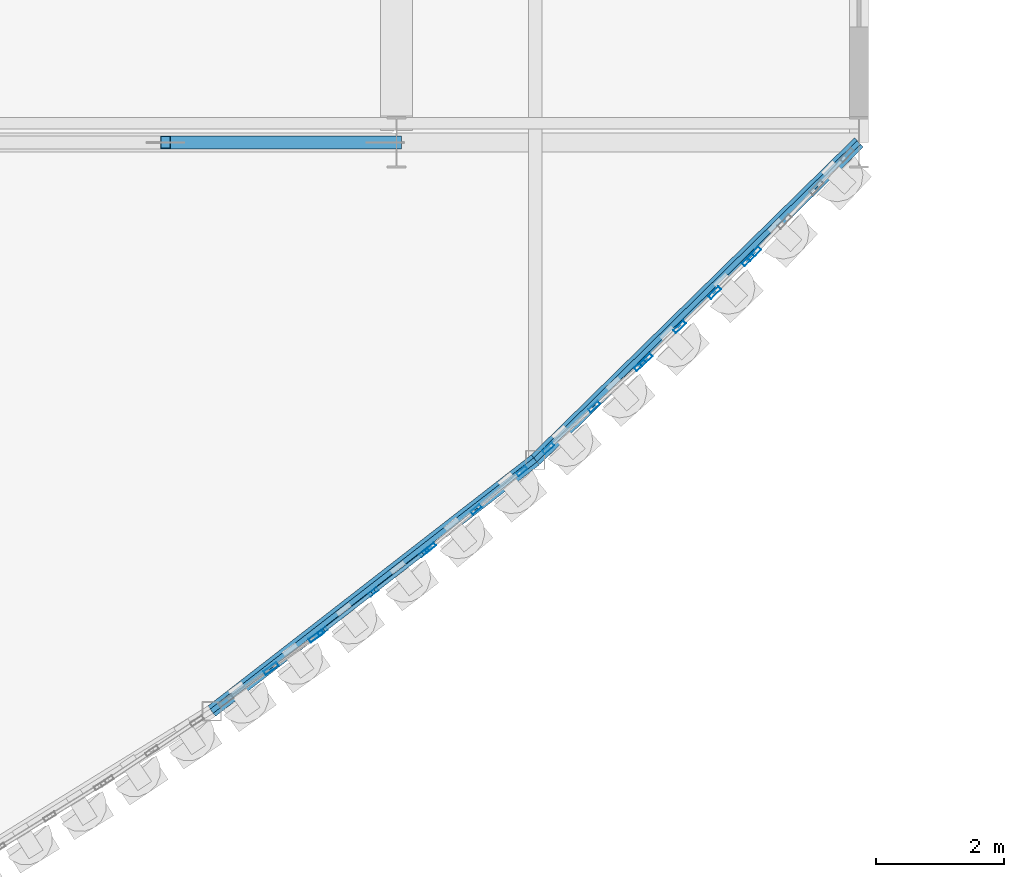
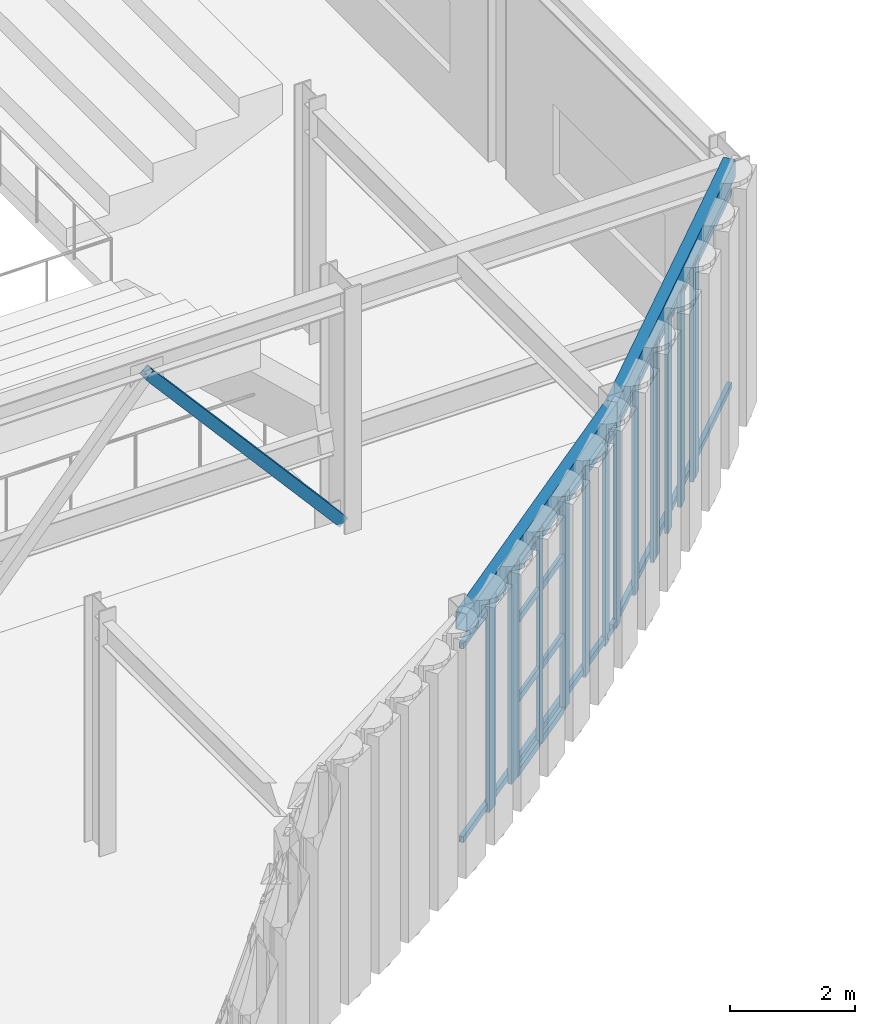
# One storey, part 54 of 121: 29 members, 2 beams, 6 elements without a shape of their own.
"""IFC4 building model written with IfcOpenShell, lengths in metres."""

from ifc_helpers import new_model, si_unit, direction, frame, origin, origin_2d, place, context, subcontext, project, spatial, hollow_rectangle, extrude, material, layer, layer_set, material_profile, profile_set, type_object, element, aggregate, save


model = new_model("IFC4")

# Units and contexts
model_context = context("Model", 3, precision=1e-05, world=origin(), true_north=direction((0.0, 1.0)))
body_context = subcontext(model_context, "Body", "Model", "MODEL_VIEW")
ifc_project = project(units=[si_unit("LENGTHUNIT", "METRE"), si_unit("AREAUNIT", "SQUARE_METRE"), si_unit("VOLUMEUNIT", "CUBIC_METRE"), si_unit("PLANEANGLEUNIT", "RADIAN"), si_unit("MASSUNIT", "GRAM", prefix="KILO")], contexts=[model_context])

# Site, building, storey
site_placement = place(None, origin())
site = spatial("IfcSite", under=ifc_project, at=site_placement, CompositionType="ELEMENT")
building_placement = place(site_placement, origin())
building = spatial("IfcBuilding", under=site, at=building_placement, Name="Solvadek Multi-Sports Hall", CompositionType="ELEMENT")
storey_placement = place(building_placement, frame((0.0, 0.0, 4.800048828125)))
storey = spatial("IfcBuildingStorey", under=building, at=storey_placement, Name="L01", CompositionType="ELEMENT", Elevation=4.800048828125)

# Curtain wall, members
ifc_material_1 = material(Name="Anodised aluminium", Category="aluminium")
ifc_layer_1 = layer(ifc_material_1, 0.159912109375, Name="Anodised aluminium")
ifc_layer_set_1 = layer_set([ifc_layer_1], Name="Anodised aluminium")
curtain_wall_type_1 = type_object("IfcCurtainWallType", Name="ENV-CW-207X420", PredefinedType="USERDEFINED", material=ifc_layer_set_1)
curtain_wall_1_placement = place(storey_placement, origin())
curtain_wall_1 = element("IfcCurtainWall", 1, at=curtain_wall_1_placement, inside=storey, type_object=curtain_wall_type_1, Name="L01 Crescent Curved Curtain Wall #105", ObjectType="CURTAIN WALL", PredefinedType="USERDEFINED")
ifc_material_profile_1 = material_profile(ifc_material_1, hollow_rectangle(XDim=0.06005859375, YDim=0.159912109375, WallThickness=0.00390625, at=origin_2d()), Name="ALU-M 160x60x4")
ifc_profile_set_1 = profile_set([ifc_material_profile_1], Name="Anodised aluminium")
member_type_1 = type_object("IfcMemberType", Name="ENV-CWM-01", PredefinedType="MULLION", material=ifc_profile_set_1)
member_1_placement = place(storey_placement, frame((128.447509765625, -1.613037109375, 0.0), z_axis=(0.0, 0.0, 1.0), x_axis=(-0.612461245063, 0.79050061562, 0.0)))
member_1 = element("IfcMember", 2, at=member_1_placement, type_object=member_type_1, Name="CW-34 mullion 1", PredefinedType="MULLION", context=body_context, shape_type="SweptSolid", body=[
    extrude(hollow_rectangle(XDim=0.06005859375, YDim=0.159912109375, WallThickness=0.00390625, at=origin_2d()), origin(), (0.0, 0.0, 1.0), 4.199951171875),
])
member_2_placement = place(storey_placement, frame((129.239990234375, -0.9990234375, 0.0), z_axis=(0.0, 0.0, 1.0), x_axis=(-0.612461245063, 0.79050061562, 0.0)))
member_2 = element("IfcMember", 3, at=member_2_placement, type_object=member_type_1, Name="CW-34 mullion 2", PredefinedType="MULLION", context=body_context, shape_type="SweptSolid", body=[
    extrude(hollow_rectangle(XDim=0.06005859375, YDim=0.159912109375, WallThickness=0.00390625, at=origin_2d()), origin(), (0.0, 0.0, 1.0), 4.199951171875),
])
member_3_placement = place(storey_placement, frame((130.032470703125, -0.384765625, 0.0), z_axis=(0.0, 0.0, 1.0), x_axis=(-0.612461245063, 0.79050061562, 0.0)))
member_3 = element("IfcMember", 4, at=member_3_placement, type_object=member_type_1, Name="CW-34 mullion 3", PredefinedType="MULLION", context=body_context, shape_type="SweptSolid", body=[
    extrude(hollow_rectangle(XDim=0.06005859375, YDim=0.159912109375, WallThickness=0.00390625, at=origin_2d()), origin(), (0.0, 0.0, 1.0), 4.199951171875),
])

ifc_layer_2 = layer(ifc_material_1, 0.159912109375, Name="Anodised aluminium")
ifc_layer_set_2 = layer_set([ifc_layer_2], Name="Anodised aluminium")
curtain_wall_type_2 = type_object("IfcCurtainWallType", Name="ENV-CW-192X420", PredefinedType="USERDEFINED", material=ifc_layer_set_2)
curtain_wall_2_placement = place(storey_placement, origin())
curtain_wall_2 = element("IfcCurtainWall", 5, at=curtain_wall_2_placement, inside=storey, type_object=curtain_wall_type_2, Name="L01 Crescent Curved Curtain Wall #107", ObjectType="CURTAIN WALL", PredefinedType="USERDEFINED")
ifc_material_profile_2 = material_profile(ifc_material_1, hollow_rectangle(XDim=0.06005859375, YDim=0.179931640625, WallThickness=0.00390625, at=origin_2d()), Name="ALU-M 180x60x4")
ifc_profile_set_2 = profile_set([ifc_material_profile_2], Name="Anodised aluminium")
member_type_2 = type_object("IfcMemberType", Name="ENV-CWM-02", PredefinedType="MULLION", material=ifc_profile_set_2)
member_4_placement = place(storey_placement, frame((130.1259765625, -0.3095703125, 0.0), z_axis=(0.0, 0.0, 1.0), x_axis=(-0.641346751245, 0.767251161398, 0.0)))
member_4 = element("IfcMember", 6, at=member_4_placement, type_object=member_type_2, Name="CW-31 mullion 1", PredefinedType="MULLION", context=body_context, shape_type="SweptSolid", body=[
    extrude(hollow_rectangle(XDim=0.06005859375, YDim=0.179931640625, WallThickness=0.00390625, at=origin_2d()), origin(), (0.0, 0.0, 1.0), 4.199951171875),
])
member_5_placement = place(storey_placement, frame((130.83935546875, 0.28662109375, 0.0), z_axis=(0.0, 0.0, 1.0), x_axis=(-0.641346751245, 0.767251161398, 0.0)))
member_5 = element("IfcMember", 7, at=member_5_placement, type_object=member_type_2, Name="CW-31 mullion 2", PredefinedType="MULLION", context=body_context, shape_type="SweptSolid", body=[
    extrude(hollow_rectangle(XDim=0.06005859375, YDim=0.179931640625, WallThickness=0.00390625, at=origin_2d()), origin(), (0.0, 0.0, 1.0), 4.199951171875),
])
member_6_placement = place(storey_placement, frame((131.552978515625, 0.883056640625, 0.0), z_axis=(0.0, 0.0, 1.0), x_axis=(-0.641346751245, 0.767251161398, 0.0)))
member_6 = element("IfcMember", 8, at=member_6_placement, type_object=member_type_2, Name="CW-31 mullion 3", PredefinedType="MULLION", context=body_context, shape_type="SweptSolid", body=[
    extrude(hollow_rectangle(XDim=0.06005859375, YDim=0.179931640625, WallThickness=0.00390625, at=origin_2d()), origin(), (0.0, 0.0, 1.0), 4.199951171875),
])
aggregate(curtain_wall_2, [member_4, member_5, member_6])

ifc_layer_3 = layer(ifc_material_1, 0.159912109375, Name="Anodised aluminium")
ifc_layer_set_3 = layer_set([ifc_layer_3], Name="Anodised aluminium")
curtain_wall_type_3 = type_object("IfcCurtainWallType", Name="ENV-CW-199X420", PredefinedType="USERDEFINED", material=ifc_layer_set_3)
curtain_wall_3_placement = place(storey_placement, origin())
curtain_wall_3 = element("IfcCurtainWall", 9, at=curtain_wall_3_placement, inside=storey, type_object=curtain_wall_type_3, Name="L01 Crescent Curved Curtain Wall #109", ObjectType="CURTAIN WALL", PredefinedType="USERDEFINED")
ifc_material_profile_3 = material_profile(ifc_material_1, hollow_rectangle(XDim=0.06494140625, YDim=0.199951171875, WallThickness=0.0048828125, at=origin_2d()), Name="ALU-M 200x65x5")
ifc_profile_set_3 = profile_set([ifc_material_profile_3], Name="Anodised aluminium")
member_type_3 = type_object("IfcMemberType", Name="ENV-CWM-03", PredefinedType="MULLION", material=ifc_profile_set_3)
member_7_placement = place(storey_placement, frame((131.962158203125, 1.23876953125, 0.0), z_axis=(0.0, 0.0, 1.0), x_axis=(-0.670227444536, 0.742155760329, 0.0)))
member_7 = element("IfcMember", 10, at=member_7_placement, type_object=member_type_3, Name="CW-35 mullion 1", PredefinedType="MULLION", context=body_context, shape_type="SweptSolid", body=[
    extrude(hollow_rectangle(XDim=0.06494140625, YDim=0.199951171875, WallThickness=0.0048828125, at=origin_2d()), origin(), (0.0, 0.0, 1.0), 4.199951171875),
])
member_8_placement = place(storey_placement, frame((132.677978515625, 1.88525390625, 0.0), z_axis=(0.0, 0.0, 1.0), x_axis=(-0.670227444536, 0.742155760329, 0.0)))
member_8 = element("IfcMember", 11, at=member_8_placement, type_object=member_type_3, Name="CW-35 mullion 2", PredefinedType="MULLION", context=body_context, shape_type="SweptSolid", body=[
    extrude(hollow_rectangle(XDim=0.06494140625, YDim=0.199951171875, WallThickness=0.0048828125, at=origin_2d()), origin(), (0.0, 0.0, 1.0), 4.199951171875),
])
member_9_placement = place(storey_placement, frame((133.3935546875, 2.531494140625, 0.0), z_axis=(0.0, 0.0, 1.0), x_axis=(-0.670227444536, 0.742155760329, 0.0)))
member_9 = element("IfcMember", 12, at=member_9_placement, type_object=member_type_3, Name="CW-35 mullion 3", PredefinedType="MULLION", context=body_context, shape_type="SweptSolid", body=[
    extrude(hollow_rectangle(XDim=0.06494140625, YDim=0.199951171875, WallThickness=0.0048828125, at=origin_2d()), origin(), (0.0, 0.0, 1.0), 4.199951171875),
])
aggregate(curtain_wall_3, [member_7, member_8, member_9])

ifc_layer_4 = layer(ifc_material_1, 0.159912109375, Name="Anodised aluminium")
ifc_layer_set_4 = layer_set([ifc_layer_4], Name="Anodised aluminium")
curtain_wall_type_4 = type_object("IfcCurtainWallType", Name="ENV-CW-229X420", PredefinedType="USERDEFINED", material=ifc_layer_set_4)
curtain_wall_4_placement = place(storey_placement, origin())
curtain_wall_4 = element("IfcCurtainWall", 13, at=curtain_wall_4_placement, inside=storey, type_object=curtain_wall_type_4, Name="L01 Crescent Curved Curtain Wall #111", ObjectType="CURTAIN WALL", PredefinedType="USERDEFINED")
ifc_material_profile_4 = material_profile(ifc_material_1, hollow_rectangle(XDim=0.06494140625, YDim=0.219970703125, WallThickness=0.0048828125, at=origin_2d()), Name="ALU-M 220x65x5")
ifc_profile_set_4 = profile_set([ifc_material_profile_4], Name="Anodised aluminium")
member_type_4 = type_object("IfcMemberType", Name="ENV-CWM-04", PredefinedType="MULLION", material=ifc_profile_set_4)
member_10_placement = place(storey_placement, frame((133.484619140625, 2.6171875, 0.0), z_axis=(0.0, 0.0, 1.0), x_axis=(-0.699091334366, 0.715032381235, 0.0)))
member_10 = element("IfcMember", 14, at=member_10_placement, type_object=member_type_4, Name="CW-36 mullion 1", PredefinedType="MULLION", context=body_context, shape_type="SweptSolid", body=[
    extrude(hollow_rectangle(XDim=0.06494140625, YDim=0.219970703125, WallThickness=0.0048828125, at=origin_2d()), origin(), (0.0, 0.0, 1.0), 4.199951171875),
])
member_11_placement = place(storey_placement, frame((134.007080078125, 3.1279296875, 0.0), z_axis=(0.0, 0.0, 1.0), x_axis=(-0.699091334366, 0.715032381235, 0.0)))
member_11 = element("IfcMember", 15, at=member_11_placement, type_object=member_type_4, Name="CW-36 mullion 2", PredefinedType="MULLION", context=body_context, shape_type="SweptSolid", body=[
    extrude(hollow_rectangle(XDim=0.06494140625, YDim=0.219970703125, WallThickness=0.0048828125, at=origin_2d()), origin(), (0.0, 0.0, 1.0), 4.199951171875),
])
member_12_placement = place(storey_placement, frame((134.552978515625, 3.66162109375, 0.0), z_axis=(0.0, 0.0, 1.0), x_axis=(-0.699091334366, 0.715032381235, 0.0)))
member_12 = element("IfcMember", 16, at=member_12_placement, type_object=member_type_4, Name="CW-36 mullion 3", PredefinedType="MULLION", context=body_context, shape_type="SweptSolid", body=[
    extrude(hollow_rectangle(XDim=0.06494140625, YDim=0.219970703125, WallThickness=0.0048828125, at=origin_2d()), origin(), (0.0, 0.0, 1.0), 4.199951171875),
])
member_13_placement = place(storey_placement, frame((135.075439453125, 4.17236328125, 0.0), z_axis=(0.0, 0.0, 1.0), x_axis=(-0.699091334366, 0.715032381235, 0.0)))
member_13 = element("IfcMember", 17, at=member_13_placement, type_object=member_type_4, Name="CW-36 mullion 4", PredefinedType="MULLION", context=body_context, shape_type="SweptSolid", body=[
    extrude(hollow_rectangle(XDim=0.06494140625, YDim=0.219970703125, WallThickness=0.0048828125, at=origin_2d()), origin(), (0.0, 0.0, 1.0), 4.199951171875),
])
aggregate(curtain_wall_4, [member_10, member_11, member_12, member_13])

ifc_layer_5 = layer(ifc_material_1, 0.159912109375, Name="Anodised aluminium")
ifc_layer_set_5 = layer_set([ifc_layer_5], Name="Anodised aluminium")
curtain_wall_type_5 = type_object("IfcCurtainWallType", Name="ENV-CW-180X420", PredefinedType="USERDEFINED", material=ifc_layer_set_5)
curtain_wall_5_placement = place(storey_placement, origin())
curtain_wall_5 = element("IfcCurtainWall", 18, at=curtain_wall_5_placement, inside=storey, type_object=curtain_wall_type_5, Name="L01 Crescent Curved Curtain Wall #103", ObjectType="CURTAIN WALL", PredefinedType="USERDEFINED")
ifc_material_profile_5 = material_profile(ifc_material_1, hollow_rectangle(XDim=0.070068359375, YDim=0.25, WallThickness=0.0048828125, at=origin_2d()), Name="ALU-M 250x70x5")
ifc_profile_set_5 = profile_set([ifc_material_profile_5], Name="Anodised aluminium")
member_type_5 = type_object("IfcMemberType", Name="ENV-CWM-05", PredefinedType="MULLION", material=ifc_profile_set_5)
member_14_placement = place(storey_placement, frame((127.645263671875, -2.192138671875, 0.0), z_axis=(0.0, 0.0, 1.0), x_axis=(-0.583570751005, 0.812062299686, 0.0)))
member_14 = element("IfcMember", 19, at=member_14_placement, type_object=member_type_5, Name="CW-33 mullion 2", PredefinedType="MULLION", context=body_context, shape_type="SweptSolid", body=[
    extrude(hollow_rectangle(XDim=0.070068359375, YDim=0.25, WallThickness=0.0048828125, at=origin_2d()), origin(), (0.0, 0.0, 1.0), 4.199951171875),
])
member_15_placement = place(storey_placement, frame((128.34716796875, -1.687744140625, 0.0), z_axis=(0.0, 0.0, 1.0), x_axis=(-0.583570751005, 0.812062299686, 0.0)))
member_15 = element("IfcMember", 20, at=member_15_placement, type_object=member_type_5, Name="CW-33 mullion 3", PredefinedType="MULLION", context=body_context, shape_type="SweptSolid", body=[
    extrude(hollow_rectangle(XDim=0.070068359375, YDim=0.25, WallThickness=0.0048828125, at=origin_2d()), origin(), (0.0, 0.0, 1.0), 4.199951171875),
])
aggregate(curtain_wall_5, [member_14, member_15])

# Curtain wall, member
ifc_layer_6 = layer(ifc_material_1, 0.159912109375, Name="Anodised aluminium")
ifc_layer_set_6 = layer_set([ifc_layer_6], Name="Anodised aluminium")
curtain_wall_type_6 = type_object("IfcCurtainWallType", Name="ENV-CW-218X420", PredefinedType="USERDEFINED", material=ifc_layer_set_6)
curtain_wall_6_placement = place(storey_placement, origin())
curtain_wall_6 = element("IfcCurtainWall", 21, at=curtain_wall_6_placement, inside=storey, type_object=curtain_wall_type_6, Name="L01 Crescent Curved Curtain Wall #113", ObjectType="CURTAIN WALL", PredefinedType="USERDEFINED")
member_16_placement = place(storey_placement, frame((135.16455078125, 4.263427734375, 0.0), z_axis=(0.0, 0.0, 1.0), x_axis=(-0.727999350669, 0.685577818651, 0.0)))
member_16 = element("IfcMember", 22, at=member_16_placement, type_object=member_type_5, Name="CW-37 mullion 1", PredefinedType="MULLION", context=body_context, shape_type="SweptSolid", body=[
    extrude(hollow_rectangle(XDim=0.070068359375, YDim=0.25, WallThickness=0.0048828125, at=origin_2d()), origin(), (0.0, 0.0, 1.0), 4.199951171875),
])
aggregate(curtain_wall_6, [member_16])

# Member
ifc_material_profile_6 = material_profile(ifc_material_1, hollow_rectangle(XDim=0.06005859375, YDim=0.139892578125, WallThickness=0.00390625, at=origin_2d()), Name="ALU-T 140x60x4")
ifc_profile_set_6 = profile_set([ifc_material_profile_6], Name="Anodised aluminium")
member_type_6 = type_object("IfcMemberType", Name="ENV-CWT-02", PredefinedType="USERDEFINED", material=ifc_profile_set_6)
member_17_placement = place(storey_placement, frame((128.47119140625, -1.5947265625, 0.030029296875), z_axis=(0.790452671197, 0.612523121684, 0.0), x_axis=(-0.612523121684, 0.790452671197, 0.0)))
member_17 = element("IfcMember", 23, at=member_17_placement, type_object=member_type_6, Name="CW-34 transom 1.1", ObjectType="TRANSOM", PredefinedType="USERDEFINED", context=body_context, shape_type="SweptSolid", body=[
    extrude(hollow_rectangle(XDim=0.06005859375, YDim=0.139892578125, WallThickness=0.00390625, at=origin_2d()), origin(), (0.0, 0.0, 1.0), 0.942626953125),
])

member_18_placement = place(storey_placement, frame((128.47119140625, -1.5947265625, 1.469970703125), z_axis=(0.790452671197, 0.612523121684, 0.0), x_axis=(-0.612523121684, 0.790452671197, 0.0)))
member_18 = element("IfcMember", 24, at=member_18_placement, type_object=member_type_6, Name="CW-34 transom 1.2", ObjectType="TRANSOM", PredefinedType="USERDEFINED", context=body_context, shape_type="SweptSolid", body=[
    extrude(hollow_rectangle(XDim=0.06005859375, YDim=0.139892578125, WallThickness=0.00390625, at=origin_2d()), origin(), (0.0, 0.0, 1.0), 0.942626953125),
])

member_19_placement = place(storey_placement, frame((128.47119140625, -1.5947265625, 3.02392578125), z_axis=(0.790452671197, 0.612523121684, 0.0), x_axis=(-0.612523121684, 0.790452671197, 0.0)))
member_19 = element("IfcMember", 25, at=member_19_placement, type_object=member_type_6, Name="CW-34 transom 1.3", ObjectType="TRANSOM", PredefinedType="USERDEFINED", context=body_context, shape_type="SweptSolid", body=[
    extrude(hollow_rectangle(XDim=0.06005859375, YDim=0.139892578125, WallThickness=0.00390625, at=origin_2d()), origin(), (0.0, 0.0, 1.0), 0.942626953125),
])

member_20_placement = place(storey_placement, frame((128.47119140625, -1.5947265625, 4.169921875), z_axis=(0.790452671197, 0.612523121684, 0.0), x_axis=(-0.612523121684, 0.790452671197, 0.0)))
member_20 = element("IfcMember", 26, at=member_20_placement, type_object=member_type_6, Name="CW-34 transom 1.4", ObjectType="TRANSOM", PredefinedType="USERDEFINED", context=body_context, shape_type="SweptSolid", body=[
    extrude(hollow_rectangle(XDim=0.06005859375, YDim=0.139892578125, WallThickness=0.00390625, at=origin_2d()), origin(), (0.0, 0.0, 1.0), 0.942626953125),
])

member_21_placement = place(storey_placement, frame((129.263671875, -0.98046875, 0.030029296875), z_axis=(0.790578072258, 0.612361259115, 0.0), x_axis=(-0.612361259115, 0.790578072258, 0.0)))
member_21 = element("IfcMember", 27, at=member_21_placement, type_object=member_type_6, Name="CW-34 transom 2.1", ObjectType="TRANSOM", PredefinedType="USERDEFINED", context=body_context, shape_type="SweptSolid", body=[
    extrude(hollow_rectangle(XDim=0.06005859375, YDim=0.139892578125, WallThickness=0.00390625, at=origin_2d()), origin(), (0.0, 0.0, 1.0), 0.9423828125),
])

member_22_placement = place(storey_placement, frame((129.263671875, -0.98046875, 1.469970703125), z_axis=(0.790578072258, 0.612361259115, 0.0), x_axis=(-0.612361259115, 0.790578072258, 0.0)))
member_22 = element("IfcMember", 28, at=member_22_placement, type_object=member_type_6, Name="CW-34 transom 2.2", ObjectType="TRANSOM", PredefinedType="USERDEFINED", context=body_context, shape_type="SweptSolid", body=[
    extrude(hollow_rectangle(XDim=0.06005859375, YDim=0.139892578125, WallThickness=0.00390625, at=origin_2d()), origin(), (0.0, 0.0, 1.0), 0.9423828125),
])

member_23_placement = place(storey_placement, frame((129.263671875, -0.98046875, 3.02392578125), z_axis=(0.790578072258, 0.612361259115, 0.0), x_axis=(-0.612361259115, 0.790578072258, 0.0)))
member_23 = element("IfcMember", 29, at=member_23_placement, type_object=member_type_6, Name="CW-34 transom 2.3", ObjectType="TRANSOM", PredefinedType="USERDEFINED", context=body_context, shape_type="SweptSolid", body=[
    extrude(hollow_rectangle(XDim=0.06005859375, YDim=0.139892578125, WallThickness=0.00390625, at=origin_2d()), origin(), (0.0, 0.0, 1.0), 0.9423828125),
])

member_24_placement = place(storey_placement, frame((129.263671875, -0.98046875, 4.169921875), z_axis=(0.790578072258, 0.612361259115, 0.0), x_axis=(-0.612361259115, 0.790578072258, 0.0)))
member_24 = element("IfcMember", 30, at=member_24_placement, type_object=member_type_6, Name="CW-34 transom 2.4", ObjectType="TRANSOM", PredefinedType="USERDEFINED", context=body_context, shape_type="SweptSolid", body=[
    extrude(hollow_rectangle(XDim=0.06005859375, YDim=0.139892578125, WallThickness=0.00390625, at=origin_2d()), origin(), (0.0, 0.0, 1.0), 0.9423828125),
])

aggregate(curtain_wall_1, [member_1, member_2, member_3, member_17, member_18, member_19, member_20, member_21, member_22, member_23, member_24])

ifc_material_2 = material(Name="Steel E350 (350 MPa)", Category="steel")
ifc_material_profile_7 = material_profile(ifc_material_2, hollow_rectangle(XDim=0.199951171875, YDim=0.199951171875, WallThickness=0.010009765625, at=origin_2d()), Name="SHS 200x200x10")
ifc_profile_set_7 = profile_set([ifc_material_profile_7], Name="Steel E350 (350 MPa)")
member_type_7 = type_object("IfcMemberType", Name="STR-BRC-SHS200", PredefinedType="BRACE", material=ifc_profile_set_7)
member_25_placement = place(storey_placement, frame((129.60009765625, 6.0, 0.0), z_axis=(-0.655295898412, 0.0, 0.755372282735), x_axis=(0.0, -1.0, 0.0)))
element("IfcMember", 31, at=member_25_placement, inside=storey, type_object=member_type_7, Name="L01 Concentric Chevron Brace #30", PredefinedType="BRACE", context=body_context, shape_type="SweptSolid", body=[
    extrude(hollow_rectangle(XDim=0.199951171875, YDim=0.199951171875, WallThickness=0.010009765625, at=origin_2d()), origin(), (0.0, 0.0, 1.0), 5.493896484375),
])

# Beams
ifc_material_profile_8 = material_profile(ifc_material_2, hollow_rectangle(XDim=0.199951171875, YDim=0.35009765625, WallThickness=0.011962890625, at=origin_2d()), Name="RHS 350x200x12")
ifc_profile_set_8 = profile_set([ifc_material_profile_8], Name="Steel E350 (350 MPa)")
beam_type = type_object("IfcBeamType", Name="STR-SPN-RHS350", PredefinedType="SPANDREL", material=ifc_profile_set_8)
beam_1_placement = place(storey_placement, frame((126.719970703125, -2.857177734375, 4.385009765625), z_axis=(0.789860818002, 0.613286138915, 0.0), x_axis=(-0.613286138915, 0.789860818002, 0.0)))
element("IfcBeam", 32, at=beam_1_placement, inside=storey, type_object=beam_type, Name="L01 Curved Crescent Spandrel #56", PredefinedType="SPANDREL", context=body_context, shape_type="SweptSolid", body=[
    extrude(hollow_rectangle(XDim=0.199951171875, YDim=0.35009765625, WallThickness=0.011962890625, at=origin_2d()), origin(), (0.0, 0.0, 1.0), 6.380859375),
])
beam_2_placement = place(storey_placement, frame((131.760009765625, 1.05615234375, 4.385009765625), z_axis=(0.71388638519, 0.700261543311, 0.0), x_axis=(-0.700261543311, 0.71388638519, 0.0)))
element("IfcBeam", 33, at=beam_2_placement, inside=storey, type_object=beam_type, Name="L01 Curved Crescent Spandrel #57", PredefinedType="SPANDREL", context=body_context, shape_type="SweptSolid", body=[
    extrude(hollow_rectangle(XDim=0.199951171875, YDim=0.35009765625, WallThickness=0.011962890625, at=origin_2d()), origin(), (0.0, 0.0, 1.0), 7.06005859375),
])

# Members
ifc_material_3 = material(Name="Steel E250 (250 MPa)", Category="steel")
ifc_material_profile_9 = material_profile(ifc_material_3, hollow_rectangle(XDim=0.080078125, YDim=0.1201171875, WallThickness=0.006103515625, at=origin_2d()), Name="RHS 120x80x6")
ifc_profile_set_9 = profile_set([ifc_material_profile_9], Name="Steel E250 (250 MPa)")
member_type_8 = type_object("IfcMemberType", Name="STR-STD-RHS120", PredefinedType="STUD", material=ifc_profile_set_9)
for number, where, z_axis, x_axis, name in (
    (34, (126.719970703125, -2.857177734375, 0.119873046875), (0.789860818002, 0.613286138915, 0.0), (-0.613286138915, 0.789860818002, 0.0), "L01 Flute Subframe Rail E-9 bot"),
    (35, (126.719970703125, -2.857177734375, 3.909912109375), (0.789860818002, 0.613286138915, 0.0), (-0.613286138915, 0.789860818002, 0.0), "L01 Flute Subframe Rail E-9 top"),
):
    element("IfcMember", number, at=place(storey_placement, frame(where, z_axis=z_axis, x_axis=x_axis)), inside=storey, type_object=member_type_8, Name=name, PredefinedType="STUD", context=body_context, shape_type="SweptSolid", body=[
        extrude(hollow_rectangle(XDim=0.080078125, YDim=0.1201171875, WallThickness=0.006103515625, at=origin_2d()), origin(), (0.0, 0.0, 1.0), 6.380859375),
    ])
for number, where, z_axis, x_axis, name in (
    (36, (131.760009765625, 1.05615234375, 0.119873046875), (0.71388638519, 0.700261543311, 0.0), (-0.700261543311, 0.71388638519, 0.0), "L01 Flute Subframe Rail E-10 bot"),
    (37, (131.760009765625, 1.05615234375, 3.909912109375), (0.71388638519, 0.700261543311, 0.0), (-0.700261543311, 0.71388638519, 0.0), "L01 Flute Subframe Rail E-10 top"),
):
    element("IfcMember", number, at=place(storey_placement, frame(where, z_axis=z_axis, x_axis=x_axis)), inside=storey, type_object=member_type_8, Name=name, PredefinedType="STUD", context=body_context, shape_type="SweptSolid", body=[
        extrude(hollow_rectangle(XDim=0.080078125, YDim=0.1201171875, WallThickness=0.006103515625, at=origin_2d()), origin(), (0.0, 0.0, 1.0), 7.06005859375),
    ])

save(model, "model.ifc")
